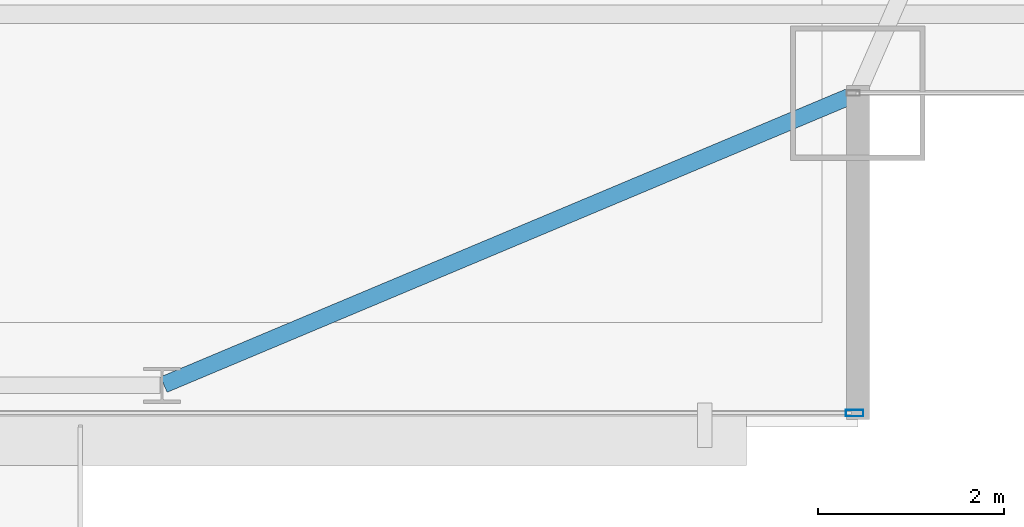
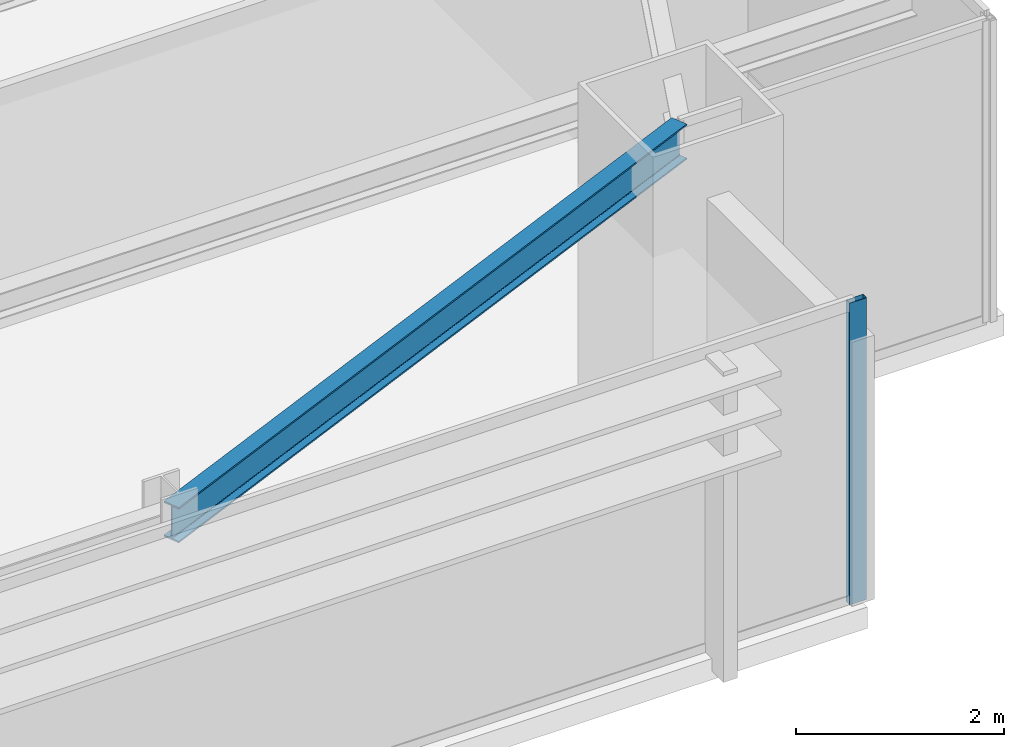
# One storey, part 14 of 34: 1 beam, 1 member, 1 element without a shape of its own.
"""IFC4 building model written with IfcOpenShell, lengths in metres."""

from ifc_helpers import new_model, si_unit, direction, frame, origin, origin_2d, place, context, subcontext, project, spatial, hollow_rectangle, i_section, extrude, source, transform, mapped, material, layer, layer_set, material_profile, profile_set, type_object, type_shapes, element, aggregate, save


model = new_model("IFC4")

# Units and contexts
model_context = context("Model", 3, precision=1e-05, world=origin(), true_north=direction((0.0, 1.0)))
body_context = subcontext(model_context, "Body", "Model", "MODEL_VIEW")
ifc_project = project(units=[si_unit("LENGTHUNIT", "METRE"), si_unit("AREAUNIT", "SQUARE_METRE"), si_unit("VOLUMEUNIT", "CUBIC_METRE"), si_unit("PLANEANGLEUNIT", "RADIAN"), si_unit("MASSUNIT", "GRAM", prefix="KILO")], contexts=[model_context])

# Site, building, storey
site_placement = place(None, origin())
site = spatial("IfcSite", under=ifc_project, at=site_placement, CompositionType="ELEMENT")
building_placement = place(site_placement, origin())
building = spatial("IfcBuilding", under=site, at=building_placement, Name="Varnel Quay Broadcast Tower", CompositionType="ELEMENT")
storey_placement = place(building_placement, frame((0.0, 0.0, 110.60009765625)))
storey = spatial("IfcBuildingStorey", under=building, at=storey_placement, Name="L26", CompositionType="ELEMENT", Elevation=110.60009765625)

# Beam
ifc_material_1 = material(Name="Structural Steel CSA G40.21 350W", Category="steel")
ifc_material_profile_1 = material_profile(ifc_material_1, i_section(OverallWidth=0.180908203125, OverallDepth=0.4169921875, WebThickness=0.010986328125, FlangeThickness=0.018310546875, FilletRadius=0.011962890625, at=origin_2d()), Name="W410X85")
ifc_profile_set_1 = profile_set([ifc_material_profile_1], Name="Structural Steel CSA G40.21 350W")
beam_type = type_object("IfcBeamType", Name="Beam_W410X85", PredefinedType="SPANDREL", material=ifc_profile_set_1)
shared_shape_1 = source(origin(), body_context, "Body", "SweptSolid", [
    extrude(i_section(OverallWidth=0.180908203125, OverallDepth=0.4169921875, WebThickness=0.010986328125, FlangeThickness=0.018310546875, FilletRadius=0.011962890625, at=origin_2d()), origin(), (0.0, 0.0, 1.0), 8.0947265625),
])
type_shapes(beam_type, [shared_shape_1])
beam_placement = place(storey_placement, frame((52.41845703125, 4.65771484375, 3.34130859375), z_axis=(0.921981890247, 0.387232997117, 0.0), x_axis=(-0.387232997117, 0.921981890247, 0.0)))
element("IfcBeam", 1, at=beam_placement, inside=storey, type_object=beam_type, Name="L26 South Spandrel TC-S5-MC-SE", PredefinedType="SPANDREL", context=body_context, shape_type="MappedRepresentation", body=[
    mapped(shared_shape_1, transform((0.0, 0.0, 0.0), x_axis=(1.0, 0.0, 0.0), y_axis=(0.0, 1.0, 0.0), z_axis=(0.0, 0.0, 1.0), scale=1.0)),
])

# Curtain wall, member
ifc_material_2 = material(Name="Anodised Bronze Aluminium 6063-T6", Category="aluminium")
ifc_layer = layer(ifc_material_2, 0.18994140625, Name="Anodised Bronze Aluminium 6063-T6")
ifc_layer_set = layer_set([ifc_layer], Name="Anodised Bronze Aluminium 6063-T6")
curtain_wall_type = type_object("IfcCurtainWallType", Name="CW_LowerTower", PredefinedType="NOTDEFINED", material=ifc_layer_set)
curtain_wall_placement = place(storey_placement, origin())
curtain_wall = element("IfcCurtainWall", 2, at=curtain_wall_placement, inside=storey, type_object=curtain_wall_type, Name="L26 South Unitised Curtain Wall 3", PredefinedType="NOTDEFINED")
ifc_material_profile_2 = material_profile(ifc_material_2, hollow_rectangle(XDim=0.070068359375, YDim=0.18994140625, WallThickness=0.00390625, at=origin_2d()), Name="ALU70X190X4")
ifc_profile_set_2 = profile_set([ifc_material_profile_2], Name="Anodised Bronze Aluminium 6063-T6")
member_type = type_object("IfcMemberType", Name="Mull_CWS-02", PredefinedType="MULLION", material=ifc_profile_set_2)
shared_shape_2 = source(origin(), body_context, "Body", "SweptSolid", [
    extrude(hollow_rectangle(XDim=0.070068359375, YDim=0.18994140625, WallThickness=0.00390625, at=origin_2d()), origin(), (0.0, 0.0, 1.0), 3.5498046875),
])
type_shapes(member_type, [shared_shape_2])
member_placement = place(storey_placement, frame((59.864990234375, 4.35009765625, 0.0), z_axis=(0.0, 0.0, 1.0), x_axis=(0.0, 1.0, 0.0)))
member = element("IfcMember", 3, at=member_placement, type_object=member_type, Name="CWS-02 mullion 2", PredefinedType="MULLION", context=body_context, shape_type="MappedRepresentation", body=[
    mapped(shared_shape_2, transform((0.0, 0.0, 0.0), x_axis=(1.0, 0.0, 0.0), y_axis=(0.0, 1.0, 0.0), z_axis=(0.0, 0.0, 1.0), scale=1.0)),
])
aggregate(curtain_wall, [member])

save(model, "model.ifc")
